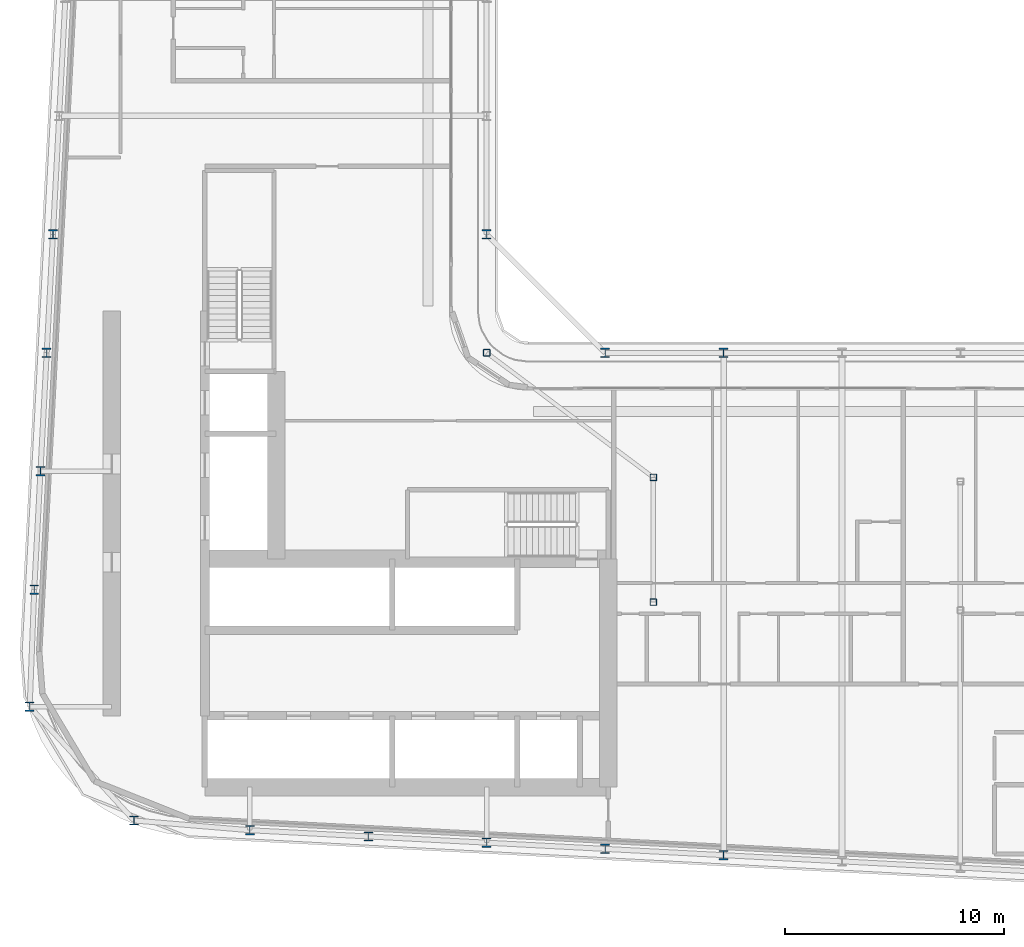
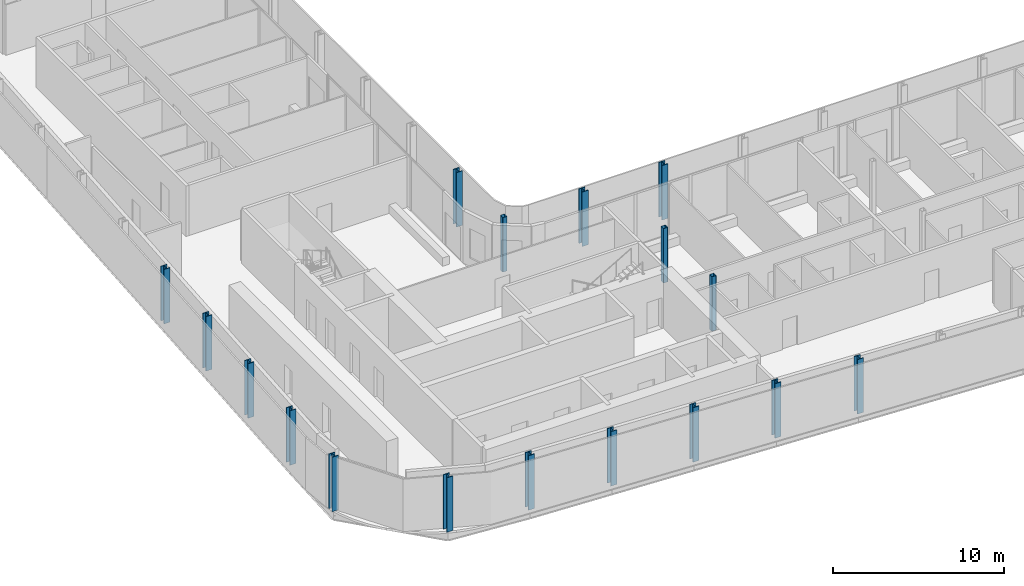
# One storey, part 1 of 24: 17 columns.
"""IFC4 building model written with IfcOpenShell, lengths in metres."""

from ifc_helpers import new_model, si_unit, direction, frame, origin, origin_2d, place, context, subcontext, project, spatial, hollow_rectangle, i_section, extrude, material, material_profile, profile_set, type_object, element, save


model = new_model("IFC4")

# Units and contexts
model_context = context("Model", 3, precision=1e-05, world=origin(), true_north=direction((0.0, 1.0)))
body_context = subcontext(model_context, "Body", "Model", "MODEL_VIEW")
ifc_project = project(units=[si_unit("LENGTHUNIT", "METRE"), si_unit("AREAUNIT", "SQUARE_METRE"), si_unit("VOLUMEUNIT", "CUBIC_METRE"), si_unit("PLANEANGLEUNIT", "RADIAN"), si_unit("MASSUNIT", "GRAM", prefix="KILO")], contexts=[model_context])

# Site, building, storey
site_placement = place(None, origin())
site = spatial("IfcSite", under=ifc_project, at=site_placement, CompositionType="ELEMENT")
building_placement = place(site_placement, origin())
building = spatial("IfcBuilding", under=site, at=building_placement, Name="Kheshtan School and Residences Tower", CompositionType="ELEMENT")
storey_placement = place(building_placement, frame((0.0, 0.0, 160.39990234375)))
storey = spatial("IfcBuildingStorey", under=building, at=storey_placement, Name="L37", CompositionType="ELEMENT", Elevation=160.39990234375)

# Columns
ifc_material_1 = material(Name="Steel ASTM A992 Grade 50", Category="steel")
ifc_material_profile_1 = material_profile(ifc_material_1, i_section(OverallWidth=0.408935546875, OverallDepth=0.425048828125, WebThickness=0.03271484375, FlangeThickness=0.052490234375, FilletRadius=0.0126953125, at=origin_2d()), Name="W360x421")
ifc_profile_set_1 = profile_set([ifc_material_profile_1], Name="Steel ASTM A992 Grade 50")
column_type_1 = type_object("IfcColumnType", Name="Column C3 W360x421 ASTM A992 Grade 50", PredefinedType="COLUMN", material=ifc_profile_set_1)
for number, where, z_axis, x_axis, name in (
    (1, (58.39990234375, 22.695068359375, 0.0), (0.0, 0.0, 1.0), (1.0, 0.0, 0.0), "Column C018"),
    (2, (53.0, 22.97998046875, 0.0), (0.0, 0.0, 1.0), (1.0, 0.0, 0.0), "Column C019"),
    (3, (47.60009765625, 23.263916015625, 0.0), (0.0, 0.0, 1.0), (1.0, 0.0, 0.0), "Column C020"),
    (4, (42.199951171875, 23.548095703125, 0.0), (0.0, 0.0, 1.0), (1.0, 0.0, 0.0), "Column C021"),
    (5, (36.800048828125, 23.83203125, 0.0), (0.0, 0.0, 1.0), (1.0, 0.0, 0.0), "Column C022"),
    (6, (31.52197265625, 24.27490234375, 0.0), (0.0, 0.0, 1.0), (1.0, 0.0, 0.0), "Column C028"),
    (7, (26.761962890625, 29.464111328125, 0.0), (0.0, 0.0, 1.0), (1.0, 0.0, 0.0), "Column C041"),
    (8, (26.968994140625, 34.800048828125, 0.0), (0.0, 0.0, 1.0), (1.0, 0.0, 0.0), "Column C052"),
    (9, (27.2529296875, 40.199951171875, 0.0), (0.0, 0.0, 1.0), (1.0, 0.0, 0.0), "Column C056"),
    (10, (27.537109375, 45.60009765625, 0.0), (0.0, 0.0, 1.0), (1.0, 0.0, 0.0), "Column C059"),
    (11, (53.0, 45.60009765625, 0.0), (0.0, 0.0, 1.0), (1.0, 0.0, 0.0), "Column C061"),
    (12, (58.39990234375, 45.60009765625, 0.0), (0.0, 0.0, 1.0), (1.0, 0.0, 0.0), "Column C062"),
    (13, (27.822021484375, 51.0, 0.0), (0.0, 0.0, 1.0), (1.0, 0.0, 0.0), "Column C078"),
    (14, (47.60009765625, 51.0, 0.0), (0.0, 0.0, 1.0), (1.0, 0.0, 0.0), "Column C079"),
):
    element("IfcColumn", number, at=place(storey_placement, frame(where, z_axis=z_axis, x_axis=x_axis)), inside=storey, type_object=column_type_1, Name=name, PredefinedType="COLUMN", context=body_context, shape_type="SweptSolid", body=[
        extrude(i_section(OverallWidth=0.408935546875, OverallDepth=0.425048828125, WebThickness=0.03271484375, FlangeThickness=0.052490234375, FilletRadius=0.0126953125, at=origin_2d()), origin(), (0.0, 0.0, 1.0), 3.900146484375),
    ])
ifc_material_2 = material(Name="Steel ASTM A500 Grade C", Category="steel")
ifc_material_profile_2 = material_profile(ifc_material_2, hollow_rectangle(XDim=0.304931640625, YDim=0.304931640625, WallThickness=0.015869140625, InnerFilletRadius=0.015869140625, OuterFilletRadius=0.03173828125, at=origin_2d()), Name="HSS 305x305x15.9")
ifc_profile_set_2 = profile_set([ifc_material_profile_2], Name="Steel ASTM A500 Grade C")
column_type_2 = type_object("IfcColumnType", Name="Column IC2 HSS 305x305x15.9 ASTM A500 Grade C", PredefinedType="COLUMN", material=ifc_profile_set_2)
for number, where, z_axis, x_axis, name in (
    (15, (55.199951171875, 34.23193359375, 0.0), (0.0, 0.0, 1.0), (1.0, 0.0, 0.0), "Column C051"),
    (16, (55.199951171875, 39.916015625, 0.0), (0.0, 0.0, 1.0), (1.0, 0.0, 0.0), "Column C055"),
    (17, (47.60009765625, 45.60009765625, 0.0), (0.0, 0.0, 1.0), (1.0, 0.0, 0.0), "Column C060"),
):
    element("IfcColumn", number, at=place(storey_placement, frame(where, z_axis=z_axis, x_axis=x_axis)), inside=storey, type_object=column_type_2, Name=name, PredefinedType="COLUMN", context=body_context, shape_type="SweptSolid", body=[
        extrude(hollow_rectangle(XDim=0.304931640625, YDim=0.304931640625, WallThickness=0.015869140625, InnerFilletRadius=0.015869140625, OuterFilletRadius=0.03173828125, at=origin_2d()), origin(), (0.0, 0.0, 1.0), 3.900146484375),
    ])

save(model, "model.ifc")
